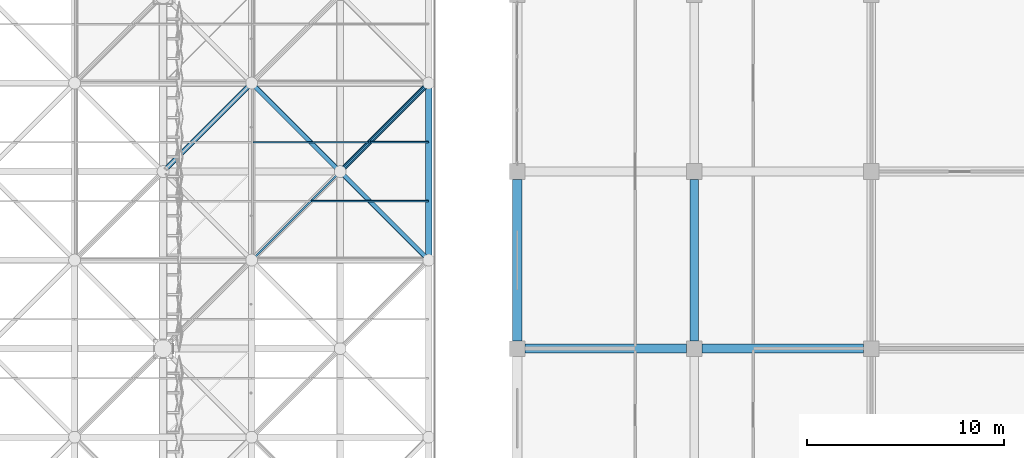
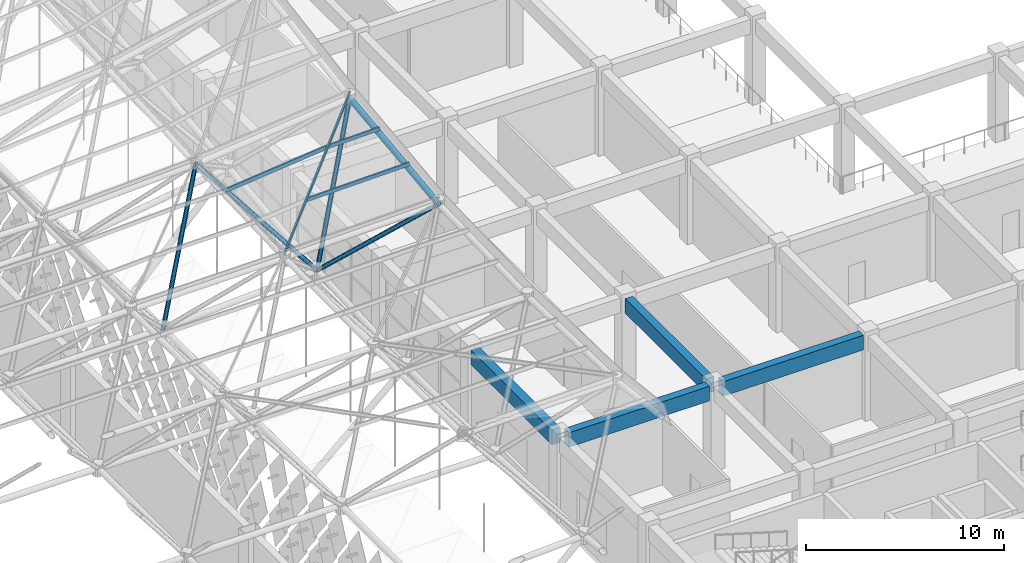
# One storey, part 199 of 437: 9 members, 4 beams.
"""IFC4 building model written with IfcOpenShell, lengths in metres."""

from ifc_helpers import new_model, si_unit, direction, frame, origin, origin_2d, place, context, subcontext, project, spatial, polyline, rectangle, hollow_circle, outline, extrude, material, material_profile, profile_set, type_object, element, save


model = new_model("IFC4")

# Units and contexts
model_context = context("Model", 3, precision=1e-05, world=origin(), true_north=direction((0.0, 1.0)))
body_context = subcontext(model_context, "Body", "Model", "MODEL_VIEW")
ifc_project = project(units=[si_unit("LENGTHUNIT", "METRE"), si_unit("AREAUNIT", "SQUARE_METRE"), si_unit("VOLUMEUNIT", "CUBIC_METRE"), si_unit("PLANEANGLEUNIT", "RADIAN"), si_unit("MASSUNIT", "GRAM", prefix="KILO")], contexts=[model_context])

# Site, building, storey
site_placement = place(None, origin())
site = spatial("IfcSite", under=ifc_project, at=site_placement, CompositionType="ELEMENT")
building_placement = place(site_placement, origin())
building = spatial("IfcBuilding", under=site, at=building_placement, Name="Opaline Strait Convention Centre", CompositionType="ELEMENT")
storey_placement = place(building_placement, frame((0.0, 0.0, 11.5)))
storey = spatial("IfcBuildingStorey", under=building, at=storey_placement, Name="L02", CompositionType="ELEMENT", Elevation=11.5)

# Beams
ifc_material_1 = material(Name="Concrete C35", Category="concrete")
ifc_material_profile_1 = material_profile(ifc_material_1, rectangle(XDim=0.449951171875, YDim=0.89990234375, at=origin_2d()), Name="RC 450x900")
ifc_profile_set_1 = profile_set([ifc_material_profile_1], Name="Concrete C35")
beam_type_1 = type_object("IfcBeamType", Name="RC beam 450x900 C35", PredefinedType="BEAM", material=ifc_profile_set_1)
for number, where, z_axis, x_axis, name in (
    (1, (279.39990234375, 108.0, 4.77001953125), (1.0, 0.0, 0.0), (0.0, 1.0, 0.0), "XB1 L02 32/N-33/N"),
    (2, (288.39990234375, 108.0, 4.77001953125), (1.0, 0.0, 0.0), (0.0, 1.0, 0.0), "XB1 L02 33/N-34/N"),
    (3, (288.0, 108.39990234375, 4.77001953125), (0.0, 1.0, 0.0), (-1.0, 0.0, 0.0), "XB1 L02 33/N-33/P"),
):
    element("IfcBeam", number, at=place(storey_placement, frame(where, z_axis=z_axis, x_axis=x_axis)), inside=storey, type_object=beam_type_1, Name=name, PredefinedType="BEAM", context=body_context, shape_type="SweptSolid", body=[
        extrude(rectangle(XDim=0.449951171875, YDim=0.89990234375, at=origin_2d()), origin(), (0.0, 0.0, 1.0), 8.2001953125),
    ])
ifc_material_profile_2 = material_profile(ifc_material_1, rectangle(XDim=0.5, YDim=0.89990234375, at=origin_2d()), Name="RC 500x900")
ifc_profile_set_2 = profile_set([ifc_material_profile_2], Name="Concrete C35")
beam_type_2 = type_object("IfcBeamType", Name="RC edge beam 500x900 C35", PredefinedType="BEAM", material=ifc_profile_set_2)
beam_placement = place(storey_placement, frame((279.0, 108.39990234375, 4.77001953125), z_axis=(0.0, 1.0, 0.0), x_axis=(-1.0, 0.0, 0.0)))
element("IfcBeam", 4, at=beam_placement, inside=storey, type_object=beam_type_2, Name="MRB2 L02 32/N-32/P", PredefinedType="BEAM", context=body_context, shape_type="SweptSolid", body=[
    extrude(rectangle(XDim=0.5, YDim=0.89990234375, at=origin_2d()), origin(), (0.0, 0.0, 1.0), 8.2001953125),
])

# Members
ifc_material_2 = material(Name="Steel Q355B", Category="steel")
ifc_material_profile_3 = material_profile(ifc_material_2, outline(polyline([(-0.03759765625, -0.125), (0.03759765625, -0.125), (0.03759765625, -0.10498046875), (0.034912109375, -0.10498046875), (0.034912109375, -0.12255859375), (-0.034912109375, -0.12255859375), (-0.034912109375, 0.12255859375), (0.034912109375, 0.12255859375), (0.034912109375, 0.10498046875), (0.03759765625, 0.10498046875), (0.03759765625, 0.125), (-0.03759765625, 0.125), (-0.03759765625, -0.125)])), Name="C 250x75x20x2.5")
ifc_profile_set_3 = profile_set([ifc_material_profile_3], Name="Steel Q355B")
member_type_1 = type_object("IfcMemberType", Name="Roof purlin C 250x75x20x2.5", PredefinedType="PURLIN", material=ifc_profile_set_3)
member_1_placement = place(storey_placement, frame((265.5, 112.5, 18.319580078125), z_axis=(0.703588662414, 0.703588662414, 0.099629253955), x_axis=(-0.710307330996, 0.700419485379, 0.069828647665)))
element("IfcMember", 5, at=member_1_placement, inside=storey, type_object=member_type_1, Name="EXB-RF-F-20-8", PredefinedType="PURLIN", context=body_context, shape_type="SweptSolid", body=[
    extrude(outline(polyline([(-0.03759765625, -0.125), (0.03759765625, -0.125), (0.03759765625, -0.10498046875), (0.034912109375, -0.10498046875), (0.034912109375, -0.12255859375), (-0.034912109375, -0.12255859375), (-0.034912109375, 0.12255859375), (0.034912109375, 0.12255859375), (0.034912109375, 0.10498046875), (0.03759765625, 0.10498046875), (0.03759765625, 0.125), (-0.03759765625, 0.125), (-0.03759765625, -0.125)])), origin(), (0.0, 0.0, 1.0), 12.79150390625),
])
member_2_placement = place(storey_placement, frame((268.550048828125, 115.5, 18.74853515625), z_axis=(0.999783679197, 0.0, 0.020798913682), x_axis=(-0.002494246966, 0.992783318794, 0.119896041038)))
element("IfcMember", 6, at=member_2_placement, inside=storey, type_object=member_type_1, Name="EXB-RF-P-20-8-0a", PredefinedType="PURLIN", context=body_context, shape_type="SweptSolid", body=[
    extrude(outline(polyline([(-0.03759765625, -0.125), (0.03759765625, -0.125), (0.03759765625, -0.10498046875), (0.034912109375, -0.10498046875), (0.034912109375, -0.12255859375), (-0.034912109375, -0.12255859375), (-0.034912109375, 0.12255859375), (0.034912109375, 0.12255859375), (0.034912109375, 0.10498046875), (0.03759765625, 0.10498046875), (0.03759765625, 0.125), (-0.03759765625, 0.125), (-0.03759765625, -0.125)])), origin(), (0.0, 0.0, 1.0), 5.951171875),
])
member_3_placement = place(storey_placement, frame((271.550048828125, 118.5, 19.17333984375), z_axis=(0.999782589814, 0.0, 0.020851213493), x_axis=(-0.002500518863, 0.992783318794, 0.119895910397)))
element("IfcMember", 7, at=member_3_placement, inside=storey, type_object=member_type_1, Name="EXB-RF-P-20-8-1a", PredefinedType="PURLIN", context=body_context, shape_type="SweptSolid", body=[
    extrude(outline(polyline([(-0.03759765625, -0.125), (0.03759765625, -0.125), (0.03759765625, -0.10498046875), (0.034912109375, -0.10498046875), (0.034912109375, -0.12255859375), (-0.034912109375, -0.12255859375), (-0.034912109375, 0.12255859375), (0.034912109375, 0.12255859375), (0.034912109375, 0.10498046875), (0.03759765625, 0.10498046875), (0.03759765625, 0.125), (-0.03759765625, 0.125), (-0.03759765625, -0.125)])), origin(), (0.0, 0.0, 1.0), 2.95068359375),
])
member_4_placement = place(storey_placement, frame((265.5869140625, 118.5, 18.556396484375), z_axis=(0.994612272059, 0.0, 0.103664980927), x_axis=(-0.003872076456, 0.999302177023, 0.037150585738)))
element("IfcMember", 8, at=member_4_placement, inside=storey, type_object=member_type_1, Name="EXB-RF-P-20-8-1b", PredefinedType="PURLIN", context=body_context, shape_type="SweptSolid", body=[
    extrude(outline(polyline([(-0.03759765625, -0.125), (0.03759765625, -0.125), (0.03759765625, -0.10498046875), (0.034912109375, -0.10498046875), (0.034912109375, -0.12255859375), (-0.034912109375, -0.12255859375), (-0.034912109375, 0.12255859375), (0.034912109375, 0.12255859375), (0.034912109375, 0.10498046875), (0.03759765625, 0.10498046875), (0.03759765625, 0.125), (-0.03759765625, 0.125), (-0.03759765625, -0.125)])), origin(), (0.0, 0.0, 1.0), 5.894775390625),
])
ifc_material_profile_4 = material_profile(ifc_material_2, hollow_circle(Radius=0.16259765625, WallThickness=0.013916015625, at=origin_2d()), Name="CHS 325x14")
ifc_profile_set_4 = profile_set([ifc_material_profile_4], Name="Steel Q355B")
member_type_2 = type_object("IfcMemberType", Name="Space frame top chord CHS 325x14", PredefinedType="CHORD", material=ifc_profile_set_4)
member_5_placement = place(storey_placement, frame((274.5, 112.450439453125, 18.21826171875), z_axis=(0.0, 0.992783260631, 0.119922464163), x_axis=(-1.0, 0.0, 0.0)))
element("IfcMember", 9, at=member_5_placement, inside=storey, type_object=member_type_2, Name="EXB-RF-TY-21-8", PredefinedType="CHORD", context=body_context, shape_type="SweptSolid", body=[
    extrude(hollow_circle(Radius=0.16259765625, WallThickness=0.013916015625, at=origin_2d()), origin(), (0.0, 0.0, 1.0), 9.165283203125),
])
ifc_material_profile_5 = material_profile(ifc_material_2, hollow_circle(Radius=0.12255859375, WallThickness=0.011962890625, at=origin_2d()), Name="CHS 245x12")
ifc_profile_set_5 = profile_set([ifc_material_profile_5], Name="Steel Q355B")
member_type_3 = type_object("IfcMemberType", Name="Space frame web CHS 245x12", PredefinedType="BRACE", material=ifc_profile_set_5)
member_6_placement = place(storey_placement, frame((265.52587890625, 121.52587890625, 18.4072265625), z_axis=(-0.519617871627, -0.519617871627, -0.678228969429), x_axis=(0.707106781187, -0.707106781187, 0.0)))
element("IfcMember", 10, at=member_6_placement, inside=storey, type_object=member_type_3, Name="EXB-RF-W-19-8-11", PredefinedType="BRACE", context=body_context, shape_type="SweptSolid", body=[
    extrude(hollow_circle(Radius=0.12255859375, WallThickness=0.011962890625, at=origin_2d()), origin(), (0.0, 0.0, 1.0), 8.759765625),
])
member_7_placement = place(storey_placement, frame((265.47314453125, 121.52685546875, 18.40576171875), z_axis=(0.538573162213, -0.538573162213, -0.647979859169), x_axis=(0.707106781187, 0.707106781187, 0.0)))
element("IfcMember", 11, at=member_7_placement, inside=storey, type_object=member_type_3, Name="EXB-RF-W-20-8-01", PredefinedType="BRACE", context=body_context, shape_type="SweptSolid", body=[
    extrude(hollow_circle(Radius=0.12255859375, WallThickness=0.011962890625, at=origin_2d()), origin(), (0.0, 0.0, 1.0), 8.455078125),
])
member_8_placement = place(storey_placement, frame((274.52734375, 112.47265625, 18.256103515625), z_axis=(-0.544839052131, 0.544839052131, -0.637417300162), x_axis=(-0.707106781187, -0.707106781187, 0.0)))
element("IfcMember", 12, at=member_8_placement, inside=storey, type_object=member_type_3, Name="EXB-RF-W-20-8-10", PredefinedType="BRACE", context=body_context, shape_type="SweptSolid", body=[
    extrude(hollow_circle(Radius=0.12255859375, WallThickness=0.011962890625, at=origin_2d()), origin(), (0.0, 0.0, 1.0), 8.359619140625),
])
member_9_placement = place(storey_placement, frame((274.52490234375, 121.52490234375, 19.3466796875), z_axis=(-0.500458219713, -0.500458219713, -0.706458166237), x_axis=(0.707106781187, -0.707106781187, 0.0)))
element("IfcMember", 13, at=member_9_placement, inside=storey, type_object=member_type_3, Name="EXB-RF-W-20-8-11", PredefinedType="BRACE", context=body_context, shape_type="SweptSolid", body=[
    extrude(hollow_circle(Radius=0.12255859375, WallThickness=0.011962890625, at=origin_2d()), origin(), (0.0, 0.0, 1.0), 9.09130859375),
])

save(model, "model.ifc")
